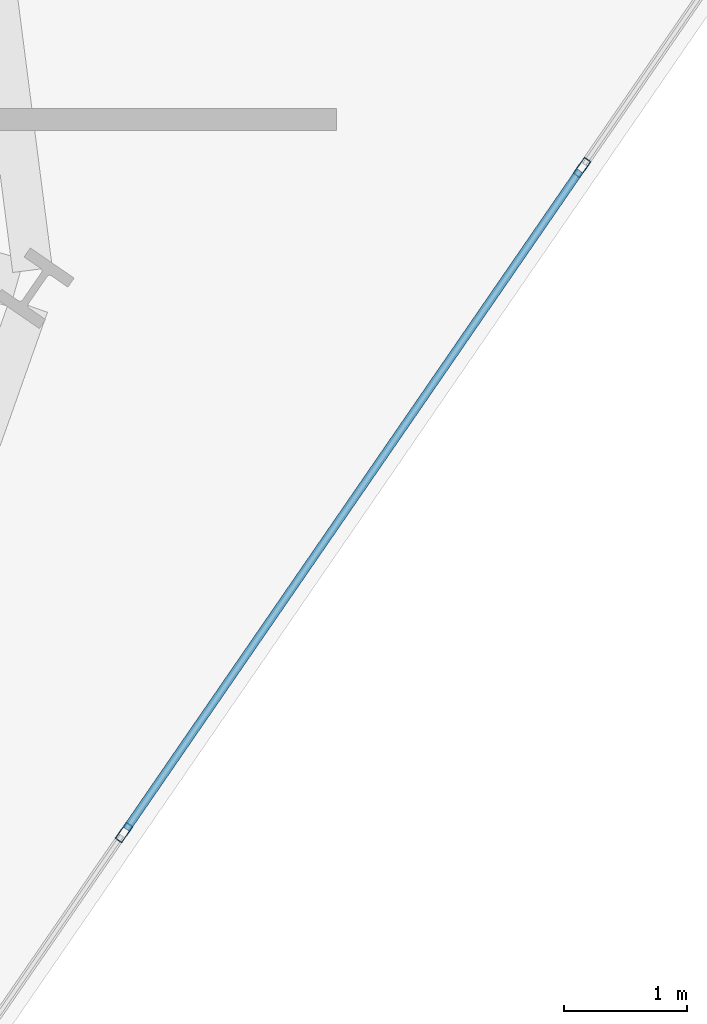
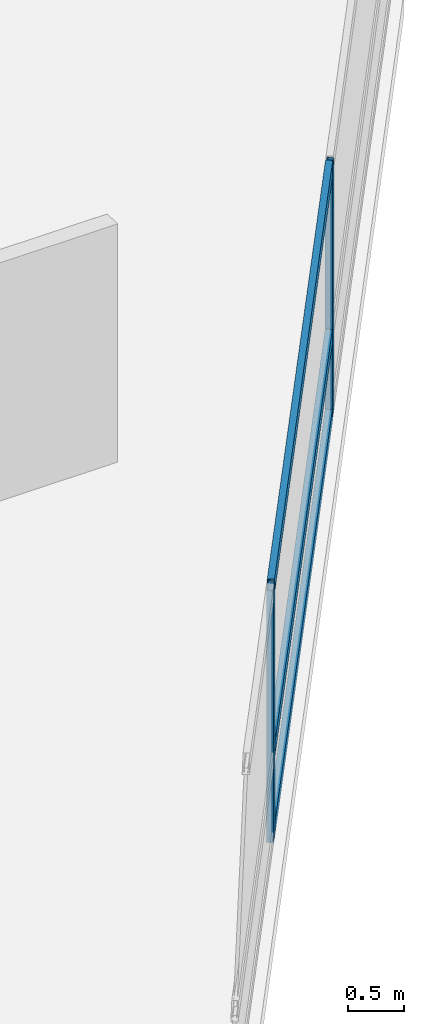
# One storey, part 11 of 27: 5 members, 1 element without a shape of its own.
"""IFC4 building model written with IfcOpenShell, lengths in metres."""

from ifc_helpers import new_model, si_unit, direction, frame, origin, origin_2d, place, context, subcontext, project, spatial, hollow_rectangle, extrude, material, layer, layer_set, material_profile, profile_set, type_object, element, aggregate, save


model = new_model("IFC4")

# Units and contexts
model_context = context("Model", 3, precision=1e-05, world=origin(), true_north=direction((0.0, 1.0)))
body_context = subcontext(model_context, "Body", "Model", "MODEL_VIEW")
ifc_project = project(units=[si_unit("LENGTHUNIT", "METRE"), si_unit("AREAUNIT", "SQUARE_METRE"), si_unit("VOLUMEUNIT", "CUBIC_METRE"), si_unit("PLANEANGLEUNIT", "RADIAN"), si_unit("MASSUNIT", "GRAM", prefix="KILO")], contexts=[model_context])

# Site, building, storey
site_placement = place(None, origin())
site = spatial("IfcSite", under=ifc_project, at=site_placement, CompositionType="ELEMENT")
building_placement = place(site_placement, origin())
building = spatial("IfcBuilding", under=site, at=building_placement, Name="Varnelok Gate Tower", CompositionType="ELEMENT")
storey_placement = place(building_placement, frame((0.0, 0.0, 60.300048828125)))
storey = spatial("IfcBuildingStorey", under=building, at=storey_placement, Name="L14", CompositionType="ELEMENT", Elevation=60.300048828125)

# Curtain wall, members
ifc_material = material(Name="Anodized Aluminum Alloy 6063-T6", Category="aluminium")
ifc_layer = layer(ifc_material, 0.179931640625)
ifc_layer_set = layer_set([ifc_layer], Name="Anodized Aluminum Alloy 6063-T6")
curtain_wall_type = type_object("IfcCurtainWallType", Name="CW3-HOTEL-VISION", PredefinedType="USERDEFINED", material=ifc_layer_set)
curtain_wall_placement = place(storey_placement, origin())
curtain_wall = element("IfcCurtainWall", 1, at=curtain_wall_placement, inside=storey, type_object=curtain_wall_type, Name="L14 East End Vision Curtain Wall", ObjectType="UNITISED CURTAIN WALL", PredefinedType="USERDEFINED")
ifc_material_profile_1 = material_profile(ifc_material, hollow_rectangle(XDim=0.06494140625, YDim=0.159912109375, WallThickness=0.00390625, at=origin_2d()), Name="ALU160X65X4")
ifc_profile_set_1 = profile_set([ifc_material_profile_1], Name="Anodized Aluminum Alloy 6063-T6")
member_type_1 = type_object("IfcMemberType", Name="CW-MULL-160", PredefinedType="MULLION", material=ifc_profile_set_1)
member_1_placement = place(storey_placement, frame((78.8173828125, 13.958251953125, 0.0), z_axis=(0.0, 0.0, 1.0), x_axis=(0.823532685111, -0.567268822124, 0.0)))
member_1 = element("IfcMember", 2, at=member_1_placement, type_object=member_type_1, Name="CW3 mullion 2", PredefinedType="MULLION", context=body_context, shape_type="SweptSolid", body=[
    extrude(hollow_rectangle(XDim=0.06494140625, YDim=0.159912109375, WallThickness=0.00390625, at=origin_2d()), origin(), (0.0, 0.0, 1.0), 2.72998046875),
])
member_2_placement = place(storey_placement, frame((75.09228515625, 8.55029296875, 0.0), z_axis=(0.0, 0.0, 1.0), x_axis=(0.823532685111, -0.567268822124, 0.0)))
member_2 = element("IfcMember", 3, at=member_2_placement, type_object=member_type_1, Name="CW3 mullion 3", PredefinedType="MULLION", context=body_context, shape_type="SweptSolid", body=[
    extrude(hollow_rectangle(XDim=0.06494140625, YDim=0.159912109375, WallThickness=0.00390625, at=origin_2d()), origin(), (0.0, 0.0, 1.0), 2.72998046875),
])
ifc_material_profile_2 = material_profile(ifc_material, hollow_rectangle(XDim=0.06494140625, YDim=0.159912109375, WallThickness=0.00390625, at=origin_2d()), Name="ALU160X65X4")
ifc_profile_set_2 = profile_set([ifc_material_profile_2], Name="Anodized Aluminum Alloy 6063-T6")
member_type_2 = type_object("IfcMemberType", Name="CW-TRAN-160", PredefinedType="USERDEFINED", material=ifc_profile_set_2)
member_3_placement = place(storey_placement, frame((78.798828125, 13.931396484375, 0.032470703125), z_axis=(-0.567279204469, -0.823525533409, 0.0), x_axis=(0.823525533409, -0.567279204469, 0.0)))
member_3 = element("IfcMember", 4, at=member_3_placement, type_object=member_type_2, Name="CW3 transom 2.1", ObjectType="TRANSOM", PredefinedType="USERDEFINED", context=body_context, shape_type="SweptSolid", body=[
    extrude(hollow_rectangle(XDim=0.06494140625, YDim=0.159912109375, WallThickness=0.00390625, at=origin_2d()), origin(), (0.0, 0.0, 1.0), 6.501708984375),
])
member_4_placement = place(storey_placement, frame((78.798828125, 13.931396484375, 0.89990234375), z_axis=(-0.567279204469, -0.823525533409, 0.0), x_axis=(0.823525533409, -0.567279204469, 0.0)))
member_4 = element("IfcMember", 5, at=member_4_placement, type_object=member_type_2, Name="CW3 transom 2.2", ObjectType="TRANSOM", PredefinedType="USERDEFINED", context=body_context, shape_type="SweptSolid", body=[
    extrude(hollow_rectangle(XDim=0.06494140625, YDim=0.159912109375, WallThickness=0.00390625, at=origin_2d()), origin(), (0.0, 0.0, 1.0), 6.501708984375),
])
member_5_placement = place(storey_placement, frame((78.798828125, 13.931396484375, 2.697509765625), z_axis=(-0.567279204469, -0.823525533409, 0.0), x_axis=(0.823525533409, -0.567279204469, 0.0)))
member_5 = element("IfcMember", 6, at=member_5_placement, type_object=member_type_2, Name="CW3 transom 2.3", ObjectType="TRANSOM", PredefinedType="USERDEFINED", context=body_context, shape_type="SweptSolid", body=[
    extrude(hollow_rectangle(XDim=0.06494140625, YDim=0.159912109375, WallThickness=0.00390625, at=origin_2d()), origin(), (0.0, 0.0, 1.0), 6.501708984375),
])
aggregate(curtain_wall, [member_1, member_2, member_3, member_4, member_5])

save(model, "model.ifc")
